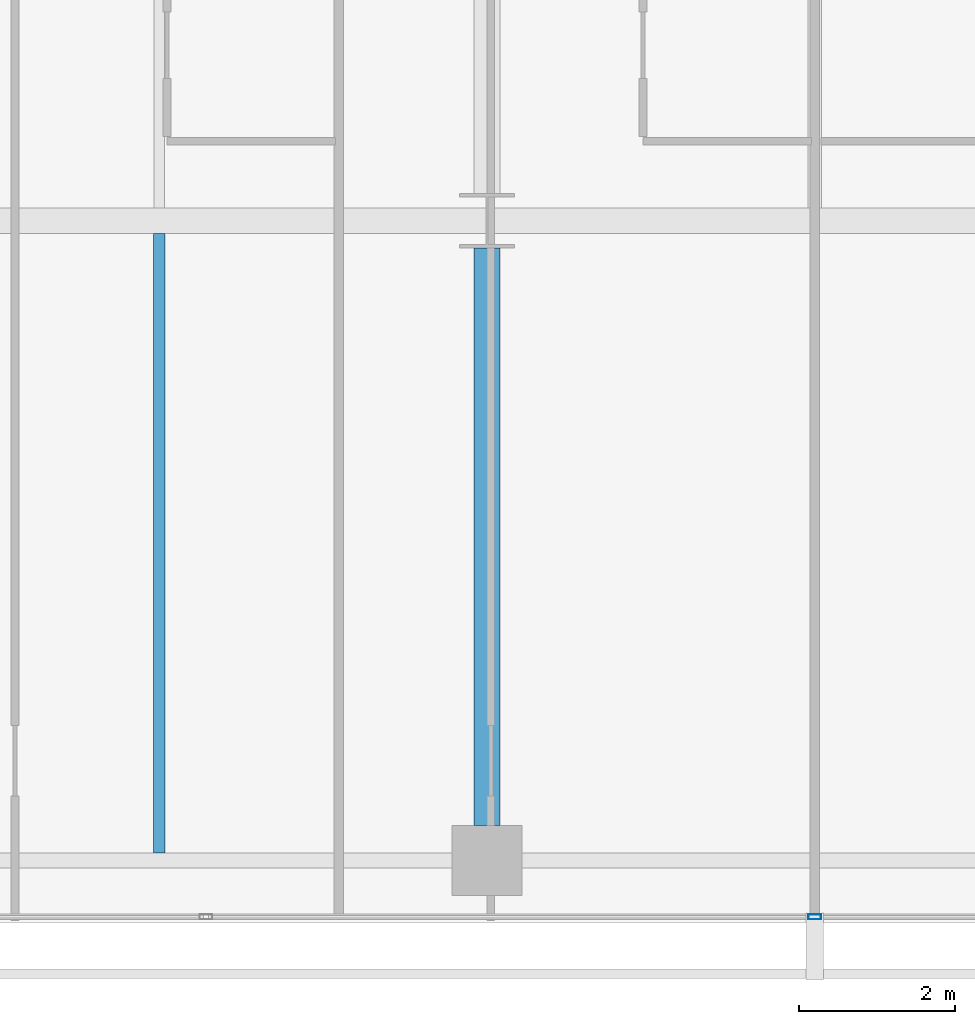
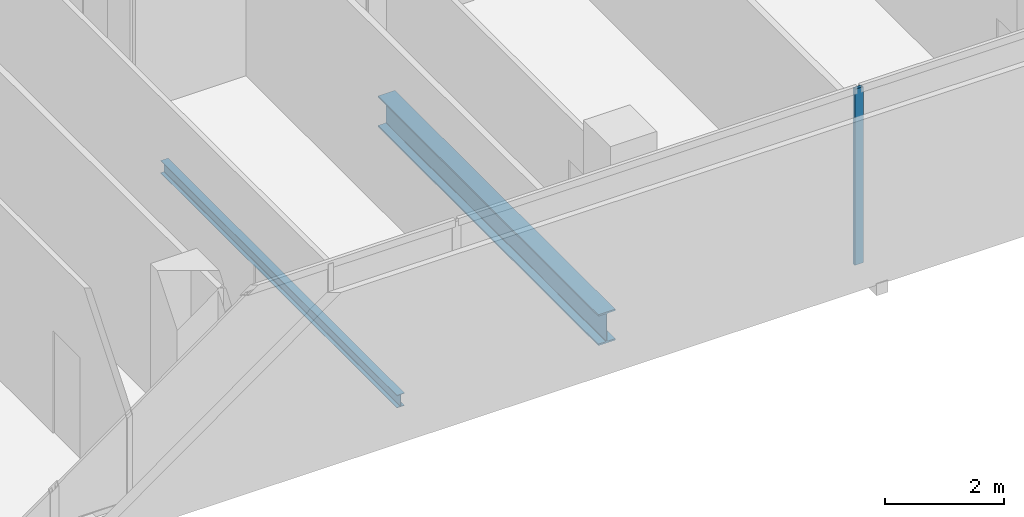
# One storey, part 8 of 40: 2 beams, 1 member, 1 element without a shape of its own.
"""IFC4 building model written with IfcOpenShell, lengths in metres."""

from ifc_helpers import new_model, si_unit, direction, frame, origin, origin_2d, place, context, subcontext, project, spatial, hollow_rectangle, i_section, extrude, material, layer, layer_set, material_profile, profile_set, type_object, element, aggregate, save


model = new_model("IFC4")

# Units and contexts
model_context = context("Model", 3, precision=1e-05, world=origin(), true_north=direction((0.0, 1.0)))
body_context = subcontext(model_context, "Body", "Model", "MODEL_VIEW")
ifc_project = project(units=[si_unit("LENGTHUNIT", "METRE"), si_unit("AREAUNIT", "SQUARE_METRE"), si_unit("VOLUMEUNIT", "CUBIC_METRE"), si_unit("PLANEANGLEUNIT", "RADIAN"), si_unit("MASSUNIT", "GRAM", prefix="KILO")], contexts=[model_context])

# Site, building, storey
site_placement = place(None, origin())
site = spatial("IfcSite", under=ifc_project, at=site_placement, CompositionType="ELEMENT")
building_placement = place(site_placement, origin())
building = spatial("IfcBuilding", under=site, at=building_placement, Name="Maruvema Waterfront Hotel and Observation Tower", CompositionType="ELEMENT")
storey_placement = place(building_placement, frame((0.0, 0.0, 34.64990234375)))
storey = spatial("IfcBuildingStorey", under=building, at=storey_placement, Name="L07", CompositionType="ELEMENT", Elevation=34.64990234375)

# Curtain wall, member
ifc_material_1 = material(Name="Anodised bronze aluminium and solar-control low-E IGU", Category="aluminium")
ifc_layer = layer(ifc_material_1, 0.159912109375, Name="Zone 1 Bronze Inner Thermal Curtain Wall System CW-02")
ifc_layer_set = layer_set([ifc_layer], Name="Anodised bronze aluminium and solar-control low-E IGU")
curtain_wall_type = type_object("IfcCurtainWallType", Name="Zone 1 Bronze Inner Thermal Curtain Wall System CW-02", PredefinedType="USERDEFINED", material=ifc_layer_set)
curtain_wall_placement = place(storey_placement, origin())
curtain_wall = element("IfcCurtainWall", 1, at=curtain_wall_placement, inside=storey, type_object=curtain_wall_type, Name="L07 Curtain Wall CW-L07-S", ObjectType="UNITISED CURTAIN WALL", PredefinedType="USERDEFINED")
ifc_material_2 = material(Name="Anodised architectural bronze aluminium", Category="aluminium")
ifc_material_profile_1 = material_profile(ifc_material_2, hollow_rectangle(XDim=0.06494140625, YDim=0.1650390625, WallThickness=0.00390625, at=origin_2d()), Name="ALU-M65x165")
ifc_profile_set_1 = profile_set([ifc_material_profile_1], Name="Anodised architectural bronze aluminium")
member_type = type_object("IfcMemberType", Name="Curtain Wall Primary Mullion ALU-M65x165", PredefinedType="MULLION", material=ifc_profile_set_1)
member_placement = place(storey_placement, frame((37.800048828125, 0.080078125, 0.0), z_axis=(0.0, 0.0, 1.0), x_axis=(0.0, 1.0, 0.0)))
member = element("IfcMember", 2, at=member_placement, type_object=member_type, Name="CW-02 mullion 4", PredefinedType="MULLION", context=body_context, shape_type="SweptSolid", body=[
    extrude(hollow_rectangle(XDim=0.06494140625, YDim=0.1650390625, WallThickness=0.00390625, at=origin_2d()), origin(), (0.0, 0.0, 1.0), 3.610107421875),
])
aggregate(curtain_wall, [member])

# Beams
ifc_material_3 = material(Name="Steel ASTM A572 Grade 50", Category="steel")
ifc_material_profile_2 = material_profile(ifc_material_3, i_section(OverallWidth=0.3291015625, OverallDepth=0.635009765625, WebThickness=0.017822265625, FlangeThickness=0.031005859375, FilletRadius=0.01806640625, at=origin_2d()), Name="W610x241.0")
ifc_profile_set_2 = profile_set([ifc_material_profile_2], Name="Steel ASTM A572 Grade 50")
beam_type_1 = type_object("IfcBeamType", Name="Primary Floor Girder W610x241.0", PredefinedType="BEAM", material=ifc_profile_set_2)
beam_1_placement = place(storey_placement, frame((33.60009765625, 1.25, -0.557373046875), z_axis=(0.0, 1.0, 0.0), x_axis=(-1.0, 0.0, 0.0)))
element("IfcBeam", 3, at=beam_1_placement, inside=storey, type_object=beam_type_1, Name="L07 Floor Girder NS-16", PredefinedType="BEAM", context=body_context, shape_type="SweptSolid", body=[
    extrude(i_section(OverallWidth=0.3291015625, OverallDepth=0.635009765625, WebThickness=0.017822265625, FlangeThickness=0.031005859375, FilletRadius=0.01806640625, at=origin_2d()), origin(), (0.0, 0.0, 1.0), 7.39990234375),
])
ifc_material_4 = material(Name="Steel ASTM A572 Grade 50", Category="steel")
ifc_material_profile_3 = material_profile(ifc_material_4, i_section(OverallWidth=0.14599609375, OverallDepth=0.258056640625, WebThickness=0.006103515625, FlangeThickness=0.009033203125, FilletRadius=0.012939453125, at=origin_2d()), Name="W250x32.7")
ifc_profile_set_3 = profile_set([ifc_material_profile_3], Name="Steel ASTM A572 Grade 50")
beam_type_2 = type_object("IfcBeamType", Name="Secondary Floor Joist W250x32.7", PredefinedType="JOIST", material=ifc_profile_set_3)
beam_2_placement = place(storey_placement, frame((29.39990234375, 0.89501953125, -0.368896484375), z_axis=(0.0, 1.0, 0.0), x_axis=(-1.0, 0.0, 0.0)))
element("IfcBeam", 4, at=beam_2_placement, inside=storey, type_object=beam_type_2, Name="L07 Secondary Floor Joist JS-10", PredefinedType="JOIST", context=body_context, shape_type="SweptSolid", body=[
    extrude(i_section(OverallWidth=0.14599609375, OverallDepth=0.258056640625, WebThickness=0.006103515625, FlangeThickness=0.009033203125, FilletRadius=0.012939453125, at=origin_2d()), origin(), (0.0, 0.0, 1.0), 7.9404296875),
])

save(model, "model.ifc")
